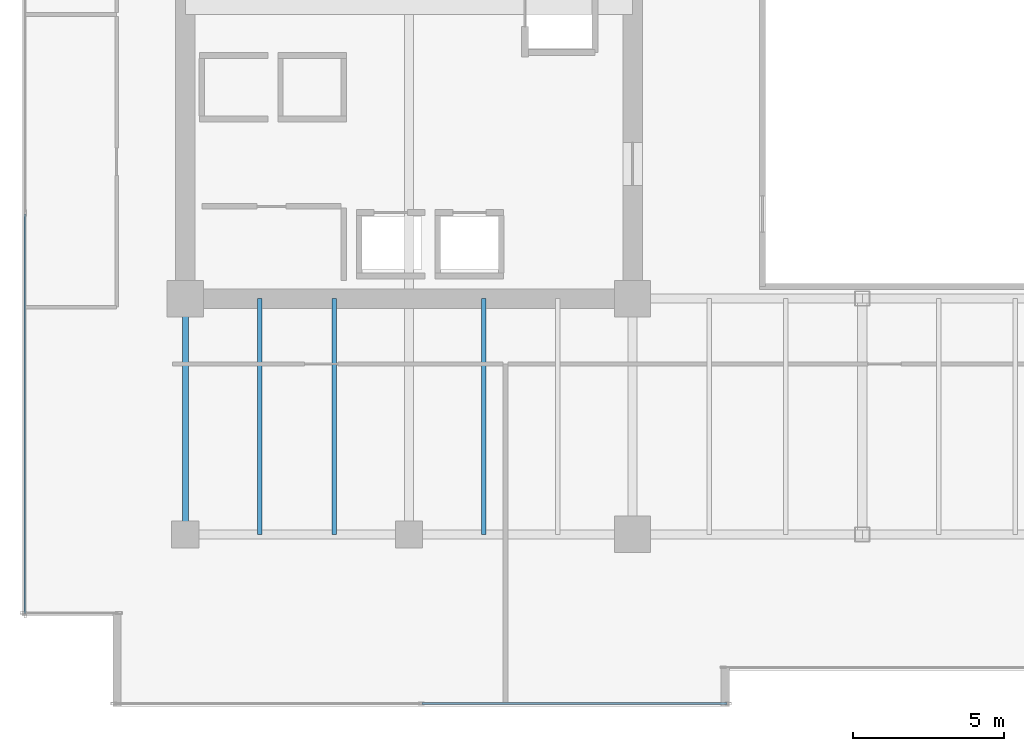
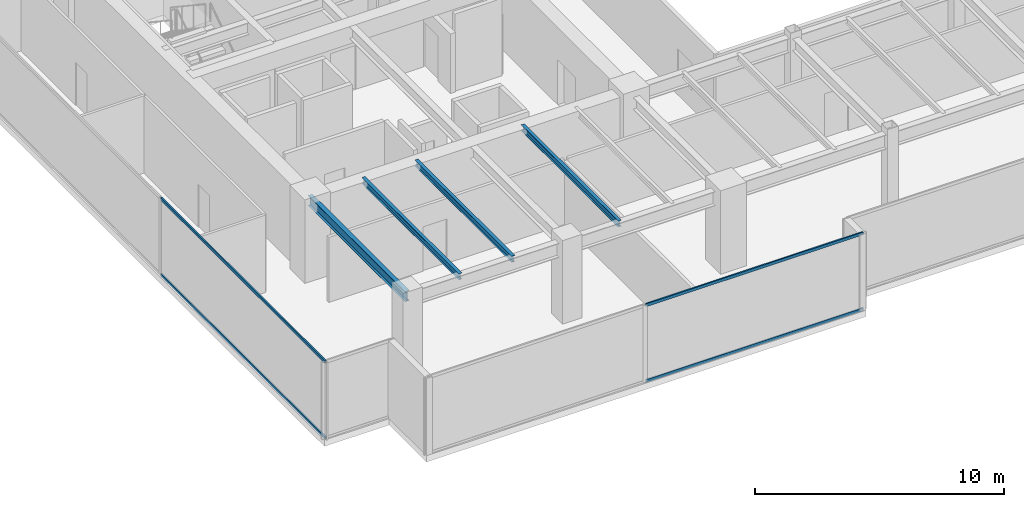
# One storey, part 3 of 30: 4 beams, 4 members, 2 elements without a shape of their own.
"""IFC4 building model written with IfcOpenShell, lengths in metres."""

from ifc_helpers import new_model, si_unit, direction, frame, origin, origin_2d, place, context, subcontext, project, spatial, hollow_rectangle, i_section, extrude, source, transform, mapped, material, layer, layer_set, material_profile, profile_set, type_object, type_shapes, element, aggregate, save


model = new_model("IFC4")

# Units and contexts
model_context = context("Model", 3, precision=1e-05, world=origin(), true_north=direction((0.0, 1.0)))
body_context = subcontext(model_context, "Body", "Model", "MODEL_VIEW")
ifc_project = project(units=[si_unit("LENGTHUNIT", "METRE"), si_unit("AREAUNIT", "SQUARE_METRE"), si_unit("VOLUMEUNIT", "CUBIC_METRE"), si_unit("PLANEANGLEUNIT", "RADIAN"), si_unit("MASSUNIT", "GRAM", prefix="KILO")], contexts=[model_context])

# Site, building, storey
site_placement = place(None, origin())
site = spatial("IfcSite", under=ifc_project, at=site_placement, CompositionType="ELEMENT")
building_placement = place(site_placement, origin())
building = spatial("IfcBuilding", under=site, at=building_placement, Name="Haelvirn Gate Laboratories", CompositionType="ELEMENT")
storey_placement = place(building_placement, frame((0.0, 0.0, 170.699951171875)))
storey = spatial("IfcBuildingStorey", under=building, at=storey_placement, Name="L41", CompositionType="ELEMENT", Elevation=170.699951171875)

# Beams
ifc_material_1 = material(Name="Steel SM355", Category="steel")
ifc_material_profile_1 = material_profile(ifc_material_1, i_section(OverallWidth=0.199951171875, OverallDepth=0.5, WebThickness=0.010009765625, FlangeThickness=0.01611328125, at=origin_2d()), Name="H-500x200x10x16")
ifc_profile_set_1 = profile_set([ifc_material_profile_1], Name="Steel SM355")
beam_type_1 = type_object("IfcBeamType", Name="BM-SP-500", PredefinedType="SPANDREL", material=ifc_profile_set_1)
shared_shape_1 = source(origin(), body_context, "Body", "SweptSolid", [
    extrude(i_section(OverallWidth=0.199951171875, OverallDepth=0.5, WebThickness=0.010009765625, FlangeThickness=0.01611328125, at=origin_2d()), origin(), (0.0, 0.0, 1.0), 7.800048828125),
])
type_shapes(beam_type_1, [shared_shape_1])
beam_placement = place(storey_placement, frame((7.39990234375, 7.0, 3.5400390625), z_axis=(0.0, 1.0, 0.0), x_axis=(-1.0, 0.0, 0.0)))
element("IfcBeam", 1, at=beam_placement, inside=storey, type_object=beam_type_1, Name="L41 Perimeter Spandrel X7.4 (7.0-14.8)", PredefinedType="SPANDREL", context=body_context, shape_type="MappedRepresentation", body=[
    mapped(shared_shape_1, transform((0.0, 0.0, 0.0), scale=1.0)),
])
ifc_material_profile_2 = material_profile(ifc_material_1, i_section(OverallWidth=0.14990234375, OverallDepth=0.300048828125, WebThickness=0.006591796875, FlangeThickness=0.009033203125, at=origin_2d()), Name="H-300x150x6.5x9")
ifc_profile_set_2 = profile_set([ifc_material_profile_2], Name="Steel SM355")
beam_type_2 = type_object("IfcBeamType", Name="BM-J-300", PredefinedType="JOIST", material=ifc_profile_set_2)
shared_shape_2 = source(origin(), body_context, "Body", "SweptSolid", [
    extrude(i_section(OverallWidth=0.14990234375, OverallDepth=0.300048828125, WebThickness=0.006591796875, FlangeThickness=0.009033203125, at=origin_2d()), origin(), (0.0, 0.0, 1.0), 7.800048828125),
])
type_shapes(beam_type_2, [shared_shape_2])
for number, where, z_axis, x_axis, name in (
    (2, (9.8701171875, 7.0, 3.64013671875), (0.0, 1.0, 0.0), (-1.0, 0.0, 0.0), "L41 Composite Lab Joist South X9.87"),
    (3, (12.330078125, 7.0, 3.64013671875), (0.0, 1.0, 0.0), (-1.0, 0.0, 0.0), "L41 Composite Lab Joist South X12.33"),
    (4, (17.27001953125, 7.0, 3.64013671875), (0.0, 1.0, 0.0), (-1.0, 0.0, 0.0), "L41 Composite Lab Joist South X17.27"),
):
    element("IfcBeam", number, at=place(storey_placement, frame(where, z_axis=z_axis, x_axis=x_axis)), inside=storey, type_object=beam_type_2, Name=name, PredefinedType="JOIST", context=body_context, shape_type="MappedRepresentation", body=[
        mapped(shared_shape_2, transform((0.0, 0.0, 0.0), scale=1.0)),
    ])

# Curtain wall, members
ifc_material_2 = material(Name="Anodised bronze unitised aluminium & triple low-E glass", Category="aluminium")
ifc_layer = layer(ifc_material_2, 0.179931640625, Name="CW-SYS-3")
ifc_layer_set = layer_set([ifc_layer], Name="Anodised bronze unitised aluminium & triple low-E glass")
curtain_wall_type = type_object("IfcCurtainWallType", Name="CW-SYS-3", PredefinedType="NOTDEFINED", material=ifc_layer_set)
curtain_wall_1_placement = place(storey_placement, origin())
curtain_wall_1 = element("IfcCurtainWall", 5, at=curtain_wall_1_placement, inside=storey, type_object=curtain_wall_type, Name="L41 Unitised Curtain Wall CW-L41-P0-E00-1", PredefinedType="NOTDEFINED")
ifc_material_3 = material(Name="Extruded aluminium 6063-T6 (anodised bronze)", Category="aluminium")
ifc_material_profile_3 = material_profile(ifc_material_3, hollow_rectangle(XDim=0.06494140625, YDim=0.139892578125, WallThickness=0.00390625, at=origin_2d()), Name="CWT-140x65x4")
ifc_profile_set_3 = profile_set([ifc_material_profile_3], Name="Extruded aluminium 6063-T6 (anodised bronze)")
member_type = type_object("IfcMemberType", Name="CWT-T140", PredefinedType="USERDEFINED", material=ifc_profile_set_3)
shared_shape_3 = source(origin(), body_context, "Body", "SweptSolid", [
    extrude(hollow_rectangle(XDim=0.06494140625, YDim=0.139892578125, WallThickness=0.00390625, at=origin_2d()), origin(), (0.0, 0.0, 1.0), 10.08740234375),
])
member_1_placement = place(storey_placement, frame((15.237548828125, 1.39990234375, 0.032470703125), z_axis=(1.0, 0.0, 0.0), x_axis=(0.0, 1.0, 0.0)))
member_1 = element("IfcMember", 6, at=member_1_placement, type_object=member_type, Name="CW3 transom 2.1", ObjectType="TRANSOM", PredefinedType="USERDEFINED", context=body_context, shape_type="MappedRepresentation", body=[
    mapped(shared_shape_3, transform((0.0, 0.0, 0.0), scale=1.0)),
])
member_2_placement = place(storey_placement, frame((15.237548828125, 1.39990234375, 3.757568359375), z_axis=(1.0, 0.0, 0.0), x_axis=(0.0, 1.0, 0.0)))
member_2 = element("IfcMember", 7, at=member_2_placement, type_object=member_type, Name="CW3 transom 2.2", ObjectType="TRANSOM", PredefinedType="USERDEFINED", context=body_context, shape_type="MappedRepresentation", body=[
    mapped(shared_shape_3, transform((0.0, 0.0, 0.0), scale=1.0)),
])
aggregate(curtain_wall_1, [member_1, member_2])

curtain_wall_2_placement = place(storey_placement, origin())
curtain_wall_2 = element("IfcCurtainWall", 8, at=curtain_wall_2_placement, inside=storey, type_object=curtain_wall_type, Name="L41 Unitised Curtain Wall CW-L41-P0-E17", PredefinedType="NOTDEFINED")
shared_shape_4 = source(origin(), body_context, "Body", "SweptSolid", [
    extrude(hollow_rectangle(XDim=0.06494140625, YDim=0.139892578125, WallThickness=0.00390625, at=origin_2d()), origin(), (0.0, 0.0, 1.0), 13.220947265625),
])
type_shapes(member_type, [shared_shape_3, shared_shape_4])
member_3_placement = place(storey_placement, frame((2.10009765625, 17.595947265625, 0.032470703125), z_axis=(0.0, -1.0, 0.0), x_axis=(1.0, 0.0, 0.0)))
member_3 = element("IfcMember", 9, at=member_3_placement, type_object=member_type, Name="CW3 transom 3.1", ObjectType="TRANSOM", PredefinedType="USERDEFINED", context=body_context, shape_type="MappedRepresentation", body=[
    mapped(shared_shape_4, transform((0.0, 0.0, 0.0), scale=1.0)),
])
member_4_placement = place(storey_placement, frame((2.10009765625, 17.595947265625, 3.757568359375), z_axis=(0.0, -1.0, 0.0), x_axis=(1.0, 0.0, 0.0)))
member_4 = element("IfcMember", 10, at=member_4_placement, type_object=member_type, Name="CW3 transom 3.2", ObjectType="TRANSOM", PredefinedType="USERDEFINED", context=body_context, shape_type="MappedRepresentation", body=[
    mapped(shared_shape_4, transform((0.0, 0.0, 0.0), scale=1.0)),
])
aggregate(curtain_wall_2, [member_3, member_4])

save(model, "model.ifc")
